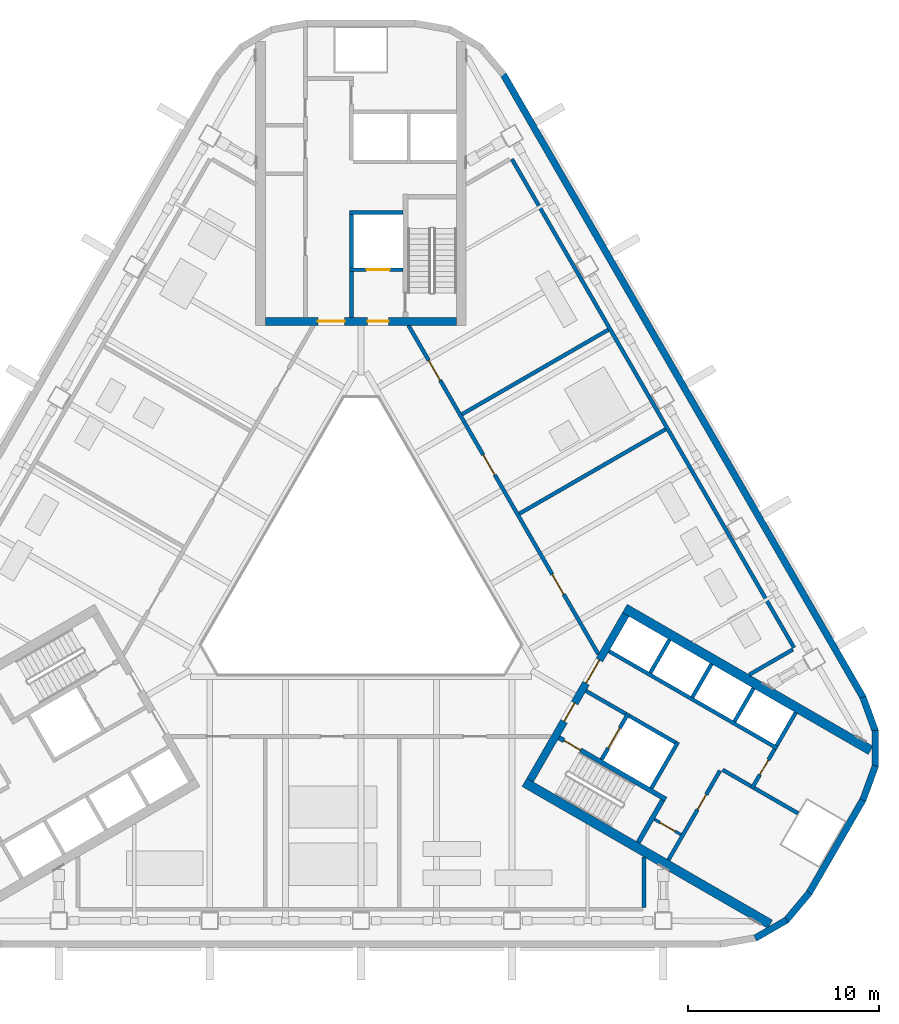
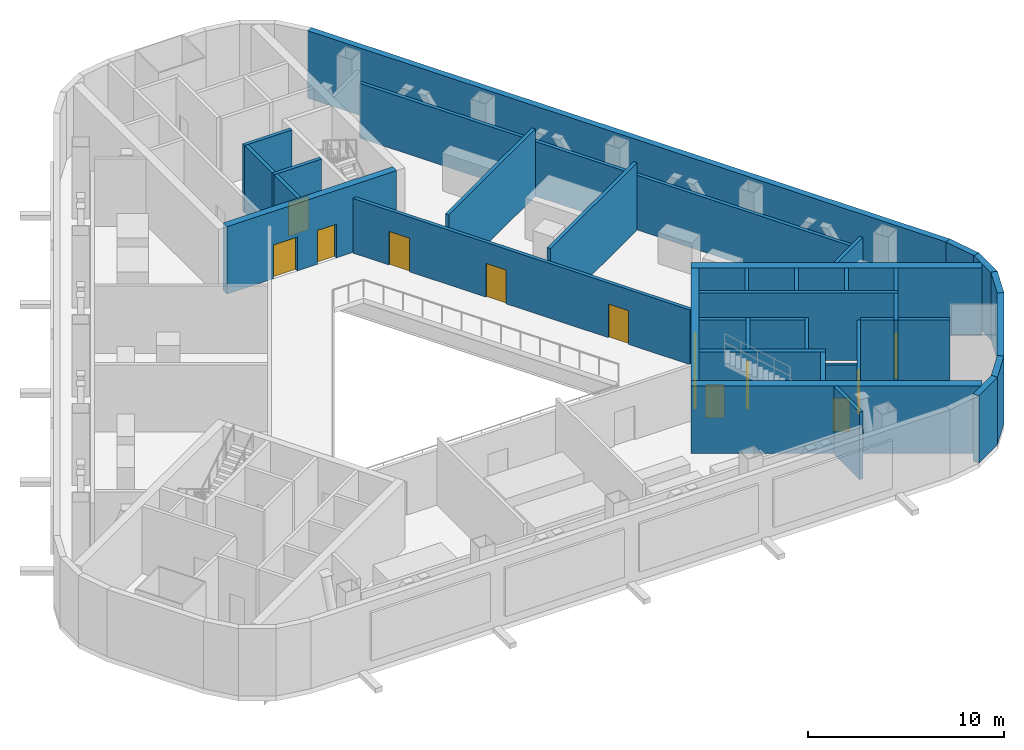
# One storey, part 8 of 15: 37 walls, 13 doors, 13 openings.
"""IFC4 building model written with IfcOpenShell, lengths in metres."""

import ifcopenshell
import ifcopenshell.guid

model = None  # the IFC model being written
_history = None  # IfcOwnerHistory: only IFC2X3 demands one
_inside = {}  # id of a spatial element -> (the spatial element, [elements in it])
_under = {}  # id of a project, library or spatial element -> (it, [spatial elements below it])
_declared = {}  # id of a project -> (the project, [libraries it declares])
_typed = {}  # id of a type object -> (the type object, [elements of that type])
_made_of = {}  # id of a material, layer set ... -> (it, [elements and type objects made of it])


def new_model(schema):
    """Start an empty IFC model of exactly this schema.

    Asked for "IFC4X3", IfcOpenShell would pick the latest addendum, in which some entities
    have other attributes; the version numbers below select the first issue.
    IFC2X3 requires an IfcOwnerHistory on every rooted entity: one is made here for all.
    """
    global model, _history
    if schema == "IFC4X3":
        model = ifcopenshell.file(schema_version=(4, 3, 0, 0))
    else:
        model = ifcopenshell.file(schema=schema)
    _inside.clear()
    _under.clear()
    _declared.clear()
    _typed.clear()
    _made_of.clear()
    _history = None
    if model.schema == "IFC2X3":
        org = make("IfcOrganization", Name="unknown")
        user = make(
            "IfcPersonAndOrganization",
            ThePerson=make("IfcPerson", FamilyName="unknown"),
            TheOrganization=org,
        )
        app = make(
            "IfcApplication",
            ApplicationDeveloper=org,
            Version="unknown",
            ApplicationFullName="unknown",
            ApplicationIdentifier="unknown",
        )
        _history = make(
            "IfcOwnerHistory",
            OwningUser=user,
            OwningApplication=app,
            ChangeAction="ADDED",
            CreationDate=0,
        )
    return model


def make(cls, **values):
    """One entity of the class cls with the attributes given. An attribute that is None is left unset."""
    return model.create_entity(
        cls, **{name: value for name, value in values.items() if value is not None}
    )


def rooted(cls, **values):
    """An entity with a GlobalId (a new one), such as an element, a storey or a relation."""
    return make(cls, GlobalId=ifcopenshell.guid.new(), OwnerHistory=_history, **values)


def si_unit(unit_type, name, prefix=None):
    """IfcSIUnit, for example si_unit("LENGTHUNIT", "METRE", prefix="MILLI")."""
    return make("IfcSIUnit", UnitType=unit_type, Prefix=prefix, Name=name)


def assignment(units):
    """IfcUnitAssignment: the units of a project."""
    return None if units is None else make("IfcUnitAssignment", Units=units)


def point(xyz):
    """IfcCartesianPoint."""
    return None if xyz is None else make("IfcCartesianPoint", Coordinates=xyz)


def direction(xyz):
    """IfcDirection."""
    return None if xyz is None else make("IfcDirection", DirectionRatios=xyz)


def frame(location, z_axis=None, x_axis=None):
    """IfcAxis2Placement3D, a coordinate frame: its origin and axes. An axis left out is left unset."""
    return make(
        "IfcAxis2Placement3D",
        Location=point(location),
        Axis=direction(z_axis),
        RefDirection=direction(x_axis),
    )


def frame_2d(location, x_axis=None):
    """IfcAxis2Placement2D, a coordinate frame in the plane: its origin and x axis."""
    return make(
        "IfcAxis2Placement2D", Location=point(location), RefDirection=direction(x_axis)
    )


def origin():
    """The frame at (0, 0, 0) with its axes left unset."""
    return frame((0.0, 0.0, 0.0))


def place(relative_to, where):
    """IfcLocalPlacement: puts the frame where relative to a parent placement (None: the world)."""
    return make(
        "IfcLocalPlacement", PlacementRelTo=relative_to, RelativePlacement=where
    )


def context(
    kind, dimensions, precision=None, world=None, true_north=None, identifier=None
):
    """IfcGeometricRepresentationContext, for example the 3D "Model" context."""
    return make(
        "IfcGeometricRepresentationContext",
        ContextIdentifier=identifier,
        ContextType=kind,
        CoordinateSpaceDimension=dimensions,
        Precision=precision,
        WorldCoordinateSystem=world,
        TrueNorth=true_north,
    )


def subcontext(parent, identifier, kind, view, scale=None):
    """IfcGeometricRepresentationSubContext, for example "Body" below "Model"."""
    return make(
        "IfcGeometricRepresentationSubContext",
        ContextIdentifier=identifier,
        ContextType=kind,
        ParentContext=parent,
        TargetScale=scale,
        TargetView=view,
    )


def project(units=None, contexts=None):
    """IfcProject with its units and contexts."""
    return rooted(
        "IfcProject",
        Name="project",
        RepresentationContexts=contexts,
        UnitsInContext=assignment(units),
    )


def spatial(cls, under=None, at=None, **own):
    """A site, building, storey or space (cls), placed at a placement, below another one or the project."""
    s = rooted(cls, ObjectPlacement=at, **own)
    if under is not None:
        _under.setdefault(under.id(), (under, []))[1].append(s)
    return s


def profile(cls, at=None, kind="AREA", **sizes):
    """A parametric profile (cls). Its sizes go by their IFC names, for example OverallWidth=200.0."""
    return make(cls, ProfileType=kind, Position=at, **sizes)


def rectangle(**sizes):
    """IfcRectangleProfileDef."""
    return profile("IfcRectangleProfileDef", **sizes)


def extrude(swept, where, along, depth):
    """IfcExtrudedAreaSolid: the profile swept, set in the frame where, extruded along a direction by depth."""
    return make(
        "IfcExtrudedAreaSolid",
        SweptArea=swept,
        Position=where,
        ExtrudedDirection=direction(along),
        Depth=depth,
    )


def shape(context_of_items, identifier, shape_type, items):
    """IfcShapeRepresentation: the items that make up one representation, for example the "Body"."""
    return make(
        "IfcShapeRepresentation",
        ContextOfItems=context_of_items,
        RepresentationIdentifier=identifier,
        RepresentationType=shape_type,
        Items=items,
    )


def material(Name=None, Category=None):
    """IfcMaterial."""
    return make("IfcMaterial", Name=Name, Category=Category)


def layer(
    of_material, thickness, ventilated=None, Name=None, Category=None, Priority=None
):
    """IfcMaterialLayer: one layer of a wall or slab, of a material (None: an air gap)."""
    return make(
        "IfcMaterialLayer",
        Material=of_material,
        LayerThickness=thickness,
        IsVentilated=ventilated,
        Name=Name,
        Category=Category,
        Priority=Priority,
    )


def layer_set(layers, Name=None):
    """IfcMaterialLayerSet."""
    return make("IfcMaterialLayerSet", MaterialLayers=layers, LayerSetName=Name)


def made_of(thing, what):
    """Note that an element or type object is made of a material, layer set ...; save() writes the relation."""
    if what is not None:
        _made_of.setdefault(what.id(), (what, []))[1].append(thing)
    return thing


def type_object(cls, material=None, **own):
    """A type object (cls), such as IfcWallType, which elements share."""
    return made_of(rooted(cls, **own), material)


def element(
    cls,
    number,
    at=None,
    inside=None,
    cuts=None,
    type_object=None,
    material=None,
    context=None,
    identifier="Body",
    shape_type=None,
    held_by="IfcProductDefinitionShape",
    body=None,
    shapes=None,
    **own,
):
    """One element of the class cls, such as IfcWall. Its Tag is "e" and its number.

    at: its placement. inside: the storey or other place that contains it. cuts: it is an
    opening in that element (IfcRelVoidsElement). A single representation is given by context,
    identifier, shape_type and body (its items); several are given by shapes. held_by: the class
    of the entity that holds the representations. save() writes the other relations.
    """
    e = rooted(cls, Tag="e%d" % number, ObjectPlacement=at, **own)
    if body is not None:
        shapes = [shape(context, identifier, shape_type, body)]
    if shapes is not None:
        e.Representation = make(held_by, Representations=shapes)
    if inside is not None:
        _inside.setdefault(inside.id(), (inside, []))[1].append(e)
    if cuts is not None:
        rooted(
            "IfcRelVoidsElement", RelatingBuildingElement=cuts, RelatedOpeningElement=e
        )
    if type_object is not None:
        _typed.setdefault(type_object.id(), (type_object, []))[1].append(e)
    return made_of(e, material)


def fill(opening, filler):
    """IfcRelFillsElement: the door or window that sits in an opening."""
    return rooted(
        "IfcRelFillsElement",
        RelatingOpeningElement=opening,
        RelatedBuildingElement=filler,
    )


def aggregate(whole, parts):
    """IfcRelAggregates: a whole, such as a stair, and the parts it consists of."""
    return rooted("IfcRelAggregates", RelatingObject=whole, RelatedObjects=parts)


def save(model, path):
    """Write the relations noted so far, then the file.

    IfcRelAggregates (storeys below a building ...), IfcRelContainedInSpatialStructure (elements
    in a storey), IfcRelDefinesByType, IfcRelAssociatesMaterial and IfcRelDeclares: one each for
    every whole, place, type object, material and project.
    """
    for whole, parts in _under.values():
        aggregate(whole, parts)
    for where, things in _inside.values():
        rooted(
            "IfcRelContainedInSpatialStructure",
            RelatedElements=things,
            RelatingStructure=where,
        )
    for kind, things in _typed.values():
        rooted("IfcRelDefinesByType", RelatedObjects=things, RelatingType=kind)
    for what, things in _made_of.values():
        rooted("IfcRelAssociatesMaterial", RelatedObjects=things, RelatingMaterial=what)
    for by, libraries in _declared.values():
        rooted("IfcRelDeclares", RelatingContext=by, RelatedDefinitions=libraries)
    model.write(path)


model = new_model("IFC4")

# Units and contexts
model_context = context("Model", 3, precision=1e-05, world=origin(), true_north=direction((0.0, 1.0)))
body_context = subcontext(model_context, "Body", "Model", "MODEL_VIEW")
ifc_project = project(units=[si_unit("LENGTHUNIT", "METRE"), si_unit("AREAUNIT", "SQUARE_METRE"), si_unit("VOLUMEUNIT", "CUBIC_METRE"), si_unit("PLANEANGLEUNIT", "RADIAN"), si_unit("MASSUNIT", "GRAM", prefix="KILO")], contexts=[model_context])

# Site, building, storey
site_placement = place(None, origin())
site = spatial("IfcSite", under=ifc_project, at=site_placement, CompositionType="ELEMENT")
building_placement = place(site_placement, origin())
building = spatial("IfcBuilding", under=site, at=building_placement, Name="Apuvela Tower Hotel", CompositionType="ELEMENT")
storey_placement = place(building_placement, frame((0.0, 0.0, 137.60009765625)))
storey = spatial("IfcBuildingStorey", under=building, at=storey_placement, Name="L32 Plant", CompositionType="ELEMENT", Elevation=137.60009765625)

# Wall, openings, doors
ifc_material_1 = material(Name="Concrete C50/60", Category="concrete")
ifc_layer_1 = layer(ifc_material_1, 0.39990234375)
ifc_layer_set_1 = layer_set([ifc_layer_1], Name="COR-WALL-CORE-400")
wall_type_1 = type_object("IfcWallType", Name="COR-WALL-CORE-400", PredefinedType="SHEAR", material=ifc_layer_set_1)
wall_1_placement = place(storey_placement, frame((5.0, 13.10009765625, 0.0), z_axis=(0.0, 0.0, 1.0), x_axis=(-1.0, 0.0, 0.0)))
wall_1 = element("IfcWall", 1, at=wall_1_placement, inside=storey, type_object=wall_type_1, Name="Core wall N", PredefinedType="SHEAR", context=body_context, shape_type="SweptSolid", body=[
    extrude(rectangle(XDim=10.0, YDim=0.39990234375, at=frame_2d((5.0, 0.0))), origin(), (0.0, 0.0, 1.0), 4.199951171875),
])
opening_1_placement = place(wall_1_placement, frame((3.550048828125, 0.0, 0.0)))
opening_1 = element("IfcOpeningElement", 2, at=opening_1_placement, cuts=wall_1, Name="Opening N-FD", PredefinedType="OPENING", context=body_context, shape_type="SweptSolid", body=[
    extrude(rectangle(XDim=1.10009765625, YDim=2.10009765625, at=frame_2d((0.550048828125, 1.050048828125))), frame((0.0, 0.2099609375, 0.0), z_axis=(0.0, -1.0, 0.0), x_axis=(1.0, 0.0, 0.0)), (0.0, 0.0, 1.0), 0.419921875),
])
opening_2_placement = place(wall_1_placement, frame((5.85009765625, 0.0, 0.0)))
opening_2 = element("IfcOpeningElement", 3, at=opening_2_placement, cuts=wall_1, Name="Opening N-GD", PredefinedType="OPENING", context=body_context, shape_type="SweptSolid", body=[
    extrude(rectangle(XDim=1.39990234375, YDim=2.10009765625, at=frame_2d((0.699951171875, 1.050048828125))), frame((0.0, 0.2099609375, 0.0), z_axis=(0.0, -1.0, 0.0), x_axis=(1.0, 0.0, 0.0)), (0.0, 0.0, 1.0), 0.419921875),
])
ifc_material_2 = material(Name="Steel fire door, powder coated", Category="steel")
door_type_1 = type_object("IfcDoorType", Name="COR-FD-1100", OperationType="NOTDEFINED", PredefinedType="DOOR", material=ifc_material_2)
door_1_placement = place(opening_1_placement, frame((1.10009765625, 0.0, 0.0), z_axis=(0.0, 0.0, 1.0), x_axis=(-1.0, 0.0, 0.0)))
door_1 = element("IfcDoor", 4, at=door_1_placement, inside=storey, type_object=door_type_1, Name="Firefighting lobby door N-FD", OperationType="SINGLE_SWING_LEFT", OverallHeight=2.10009765625, OverallWidth=1.10009765625, PredefinedType="DOOR", context=body_context, shape_type="SweptSolid", body=[
    extrude(rectangle(XDim=1.10009765625, YDim=2.10009765625, at=frame_2d((0.550048828125, 1.050048828125))), frame((0.0, 0.02490234375, 0.0), z_axis=(0.0, -1.0, 0.0), x_axis=(1.0, 0.0, 0.0)), (0.0, 0.0, 1.0), 0.050048828125),
])
fill(opening_1, door_1)
ifc_material_3 = material(Name="Glazed steel fire door", Category="steel")
door_type_2 = type_object("IfcDoorType", Name="COR-GD-1400", OperationType="DOUBLE_DOOR_SINGLE_SWING", PredefinedType="DOOR", material=ifc_material_3)
door_2_placement = place(opening_2_placement, frame((1.39990234375, 0.0, 0.0), z_axis=(0.0, 0.0, 1.0), x_axis=(-1.0, 0.0, 0.0)))
door_2 = element("IfcDoor", 5, at=door_2_placement, inside=storey, type_object=door_type_2, Name="Lift lobby door N-GD", OperationType="DOUBLE_DOOR_SINGLE_SWING", OverallHeight=2.10009765625, OverallWidth=1.39990234375, PredefinedType="DOOR", context=body_context, shape_type="SweptSolid", body=[
    extrude(rectangle(XDim=1.39990234375, YDim=2.10009765625, at=frame_2d((0.699951171875, 1.050048828125))), frame((0.0, 0.02490234375, 0.0), z_axis=(0.0, -1.0, 0.0), x_axis=(1.0, 0.0, 0.0)), (0.0, 0.0, 1.0), 0.050048828125),
])
fill(opening_2, door_2)

wall_2_placement = place(storey_placement, frame((8.844970703125, -10.880126953125, 0.0), z_axis=(0.0, 0.0, 1.0), x_axis=(0.500004234368, 0.866022959057, 0.0)))
wall_2 = element("IfcWall", 6, at=wall_2_placement, inside=storey, type_object=wall_type_1, Name="Core wall SE", PredefinedType="SHEAR", context=body_context, shape_type="SweptSolid", body=[
    extrude(rectangle(XDim=10.0, YDim=0.39990234375, at=frame_2d((5.0, 0.0))), origin(), (0.0, 0.0, 1.0), 4.199951171875),
])
opening_3_placement = place(wall_2_placement, frame((3.550048828125, 0.0, 0.0)))
opening_3 = element("IfcOpeningElement", 7, at=opening_3_placement, cuts=wall_2, Name="Opening E-FD", PredefinedType="OPENING", context=body_context, shape_type="SweptSolid", body=[
    extrude(rectangle(XDim=1.10009765625, YDim=2.10009765625, at=frame_2d((0.550048828125, 1.050048828125))), frame((0.0, 0.2099609375, 0.0), z_axis=(0.0, -1.0, 0.0), x_axis=(1.0, 0.0, 0.0)), (0.0, 0.0, 1.0), 0.419921875),
])
opening_4_placement = place(wall_2_placement, frame((5.85009765625, 0.0, 0.0)))
opening_4 = element("IfcOpeningElement", 8, at=opening_4_placement, cuts=wall_2, Name="Opening E-GD", PredefinedType="OPENING", context=body_context, shape_type="SweptSolid", body=[
    extrude(rectangle(XDim=1.39990234375, YDim=2.10009765625, at=frame_2d((0.699951171875, 1.050048828125))), frame((0.0, 0.2099609375, 0.0), z_axis=(0.0, -1.0, 0.0), x_axis=(1.0, 0.0, 0.0)), (0.0, 0.0, 1.0), 0.419921875),
])
door_3_placement = place(opening_3_placement, frame((1.10009765625, 0.0, 0.0), z_axis=(0.0, 0.0, 1.0), x_axis=(-1.0, 0.0, 0.0)))
door_3 = element("IfcDoor", 9, at=door_3_placement, inside=storey, type_object=door_type_1, Name="Firefighting lobby door E-FD", OperationType="SINGLE_SWING_LEFT", OverallHeight=2.10009765625, OverallWidth=1.10009765625, PredefinedType="DOOR", context=body_context, shape_type="SweptSolid", body=[
    extrude(rectangle(XDim=1.10009765625, YDim=2.10009765625, at=frame_2d((0.550048828125, 1.050048828125))), frame((0.0, 0.02490234375, 0.0), z_axis=(0.0, -1.0, 0.0), x_axis=(1.0, 0.0, 0.0)), (0.0, 0.0, 1.0), 0.050048828125),
])
fill(opening_3, door_3)
door_4_placement = place(opening_4_placement, frame((1.39990234375, 0.0, 0.0), z_axis=(0.0, 0.0, 1.0), x_axis=(-1.0, 0.0, 0.0)))
door_4 = element("IfcDoor", 10, at=door_4_placement, inside=storey, type_object=door_type_2, Name="Lift lobby door E-GD", OperationType="DOUBLE_DOOR_SINGLE_SWING", OverallHeight=2.10009765625, OverallWidth=1.39990234375, PredefinedType="DOOR", context=body_context, shape_type="SweptSolid", body=[
    extrude(rectangle(XDim=1.39990234375, YDim=2.10009765625, at=frame_2d((0.699951171875, 1.050048828125))), frame((0.0, 0.02490234375, 0.0), z_axis=(0.0, -1.0, 0.0), x_axis=(1.0, 0.0, 0.0)), (0.0, 0.0, 1.0), 0.050048828125),
])
fill(opening_4, door_4)

# Walls
ifc_layer_2 = layer(ifc_material_1, 0.5)
ifc_layer_set_2 = layer_set([ifc_layer_2], Name="COR-WALL-CORE-500")
wall_type_2 = type_object("IfcWallType", Name="COR-WALL-CORE-500", PredefinedType="SHEAR", material=ifc_layer_set_2)
for number, where, z_axis, x_axis, name in (
    (11, (8.546630859375, -10.99658203125, 0.0), (0.0, 0.0, 1.0), (0.866025009528, -0.500000682871, 0.0), "Core wall SE"),
    (12, (13.796630859375, -1.9033203125, 0.0), (0.0, 0.0, 1.0), (0.866025009528, -0.500000682871, 0.0), "Core wall SE"),
):
    element("IfcWall", number, at=place(storey_placement, frame(where, z_axis=z_axis, x_axis=x_axis)), inside=storey, type_object=wall_type_2, Name=name, PredefinedType="SHEAR", context=body_context, shape_type="SweptSolid", body=[
        extrude(rectangle(XDim=14.8369140625, YDim=0.5, at=frame_2d((7.41845703125, 0.0))), origin(), (0.0, 0.0, 1.0), 4.199951171875),
    ])

# Wall, opening, door
ifc_material_4 = material(Name="Blockwork 150 mm plastered", Category="masonry")
ifc_layer_3 = layer(ifc_material_4, 0.14990234375)
ifc_layer_set_3 = layer_set([ifc_layer_3], Name="COR-WALL-PART-150")
wall_type_3 = type_object("IfcWallType", Name="COR-WALL-PART-150", PredefinedType="PARTITIONING", material=ifc_layer_set_3)
wall_3_placement = place(storey_placement, frame((15.341552734375, -12.927734375, 0.0), z_axis=(0.0, 0.0, 1.0), x_axis=(0.865989903783, -0.500061482766, 0.0)))
wall_3 = element("IfcWall", 13, at=wall_3_placement, inside=storey, type_object=wall_type_3, Name="Partition SE", PredefinedType="PARTITIONING", context=body_context, shape_type="SweptSolid", body=[
    extrude(rectangle(XDim=1.599853515625, YDim=0.14990234375, at=frame_2d((0.7998046875, 0.0))), origin(), (0.0, 0.0, 1.0), 4.199951171875),
])
opening_5_placement = place(wall_3_placement, frame((0.35009765625, 0.0, 0.0)))
opening_5 = element("IfcOpeningElement", 14, at=opening_5_placement, cuts=wall_3, Name="Opening E-RD", PredefinedType="OPENING", context=body_context, shape_type="SweptSolid", body=[
    extrude(rectangle(XDim=0.89990234375, YDim=2.10009765625, at=frame_2d((0.449951171875, 1.050048828125))), frame((0.0, 0.0849609375, 0.0), z_axis=(0.0, -1.0, 0.0), x_axis=(1.0, 0.0, 0.0)), (0.0, 0.0, 1.0), 0.169921875),
])
ifc_material_5 = material(Name="Steel access door, powder coated", Category="steel")
door_type_3 = type_object("IfcDoorType", Name="COR-RD-900", OperationType="NOTDEFINED", PredefinedType="DOOR", material=ifc_material_5)
door_5_placement = place(opening_5_placement, frame((0.89990234375, 0.0, 0.0), z_axis=(0.0, 0.0, 1.0), x_axis=(-1.0, 0.0, 0.0)))
door_5 = element("IfcDoor", 15, at=door_5_placement, inside=storey, type_object=door_type_3, Name="Riser door E-RD", OperationType="SINGLE_SWING_LEFT", OverallHeight=2.10009765625, OverallWidth=0.89990234375, PredefinedType="DOOR", context=body_context, shape_type="SweptSolid", body=[
    extrude(rectangle(XDim=0.89990234375, YDim=2.10009765625, at=frame_2d((0.449951171875, 1.050048828125))), frame((0.0, 0.02490234375, 0.0), z_axis=(0.0, -1.0, 0.0), x_axis=(1.0, 0.0, 0.0)), (0.0, 0.0, 1.0), 0.050048828125),
])
fill(opening_5, door_5)

ifc_material_6 = material(Name="Blockwork 200 mm plastered", Category="masonry")
ifc_layer_4 = layer(ifc_material_6, 0.199951171875)
ifc_layer_set_4 = layer_set([ifc_layer_4], Name="COR-WALL-PART-200")
wall_type_4 = type_object("IfcWallType", Name="COR-WALL-PART-200", PredefinedType="PARTITIONING", material=ifc_layer_set_4)
wall_4_placement = place(storey_placement, frame((16.076171875, -15.05517578125, 0.0), z_axis=(0.0, 0.0, 1.0), x_axis=(0.499995103361, 0.866028230842, 0.0)))
wall_4 = element("IfcWall", 16, at=wall_4_placement, inside=storey, type_object=wall_type_4, Name="Partition SE", PredefinedType="PARTITIONING", context=body_context, shape_type="SweptSolid", body=[
    extrude(rectangle(XDim=5.39990234375, YDim=0.199951171875, at=frame_2d((2.699951171875, 0.0))), origin(), (0.0, 0.0, 1.0), 4.199951171875),
])
opening_6_placement = place(wall_4_placement, frame((3.050048828125, 0.0, 0.0)))
opening_6 = element("IfcOpeningElement", 17, at=opening_6_placement, cuts=wall_4, Name="Opening E-RS1", PredefinedType="OPENING", context=body_context, shape_type="SweptSolid", body=[
    extrude(rectangle(XDim=0.89990234375, YDim=2.10009765625, at=frame_2d((0.449951171875, 1.050048828125))), frame((0.0, 0.10986328125, 0.0), z_axis=(0.0, -1.0, 0.0), x_axis=(1.0, 0.0, 0.0)), (0.0, 0.0, 1.0), 0.219970703125),
])
door_type_4 = type_object("IfcDoorType", Name="COR-DR-900", OperationType="NOTDEFINED", PredefinedType="DOOR", material=ifc_material_2)
door_6_placement = place(opening_6_placement, frame((0.89990234375, 0.0, 0.0), z_axis=(0.0, 0.0, 1.0), x_axis=(-1.0, 0.0, 0.0)))
door_6 = element("IfcDoor", 18, at=door_6_placement, inside=storey, type_object=door_type_4, Name="Store door E-RS1", OperationType="SINGLE_SWING_LEFT", OverallHeight=2.10009765625, OverallWidth=0.89990234375, PredefinedType="DOOR", context=body_context, shape_type="SweptSolid", body=[
    extrude(rectangle(XDim=0.89990234375, YDim=2.10009765625, at=frame_2d((0.449951171875, 1.050048828125))), frame((0.0, 0.02490234375, 0.0), z_axis=(0.0, -1.0, 0.0), x_axis=(1.0, 0.0, 0.0)), (0.0, 0.0, 1.0), 0.050048828125),
])
fill(opening_6, door_6)

# Wall
ifc_layer_5 = layer(ifc_material_1, 0.199951171875)
ifc_layer_set_5 = layer_set([ifc_layer_5], Name="COR-WALL-SHAFT-200")
wall_type_5 = type_object("IfcWallType", Name="COR-WALL-SHAFT-200", PredefinedType="SHEAR", material=ifc_layer_set_5)
wall_5_placement = place(storey_placement, frame((2.199951171875, 18.800048828125, 0.0), z_axis=(0.0, 0.0, 1.0), x_axis=(-1.0, 0.0, 0.0)))
element("IfcWall", 19, at=wall_5_placement, inside=storey, type_object=wall_type_5, Name="Shaft wall N", PredefinedType="SHEAR", context=body_context, shape_type="SweptSolid", body=[
    extrude(rectangle(XDim=2.800048828125, YDim=0.199951171875, at=frame_2d((1.39990234375, 0.0))), origin(), (0.0, 0.0, 1.0), 4.199951171875),
])

# Wall, opening, door
wall_6_placement = place(storey_placement, frame((2.199951171875, 15.800048828125, 0.0), z_axis=(0.0, 0.0, 1.0), x_axis=(-1.0, 0.0, 0.0)))
wall_6 = element("IfcWall", 20, at=wall_6_placement, inside=storey, type_object=wall_type_5, Name="Shaft wall N", PredefinedType="SHEAR", context=body_context, shape_type="SweptSolid", body=[
    extrude(rectangle(XDim=2.800048828125, YDim=0.199951171875, at=frame_2d((1.39990234375, 0.0))), origin(), (0.0, 0.0, 1.0), 4.199951171875),
])
opening_7_placement = place(wall_6_placement, frame((0.699951171875, 0.0, 0.0)))
opening_7 = element("IfcOpeningElement", 21, at=opening_7_placement, cuts=wall_6, Name="Opening N-LD-FS1", PredefinedType="OPENING", context=body_context, shape_type="SweptSolid", body=[
    extrude(rectangle(XDim=1.199951171875, YDim=2.10009765625, at=frame_2d((0.60009765625, 1.050048828125))), frame((0.0, 0.10986328125, 0.0), z_axis=(0.0, -1.0, 0.0), x_axis=(1.0, 0.0, 0.0)), (0.0, 0.0, 1.0), 0.219970703125),
])
ifc_material_7 = material(Name="Stainless steel lift landing door", Category="steel")
door_type_5 = type_object("IfcDoorType", Name="COR-LD-1200", OperationType="DOUBLE_DOOR_SLIDING", PredefinedType="DOOR", material=ifc_material_7)
door_7_placement = place(opening_7_placement, origin())
door_7 = element("IfcDoor", 22, at=door_7_placement, inside=storey, type_object=door_type_5, Name="Lift landing door N-LD-FS1", OperationType="DOUBLE_DOOR_SLIDING", OverallHeight=2.10009765625, OverallWidth=1.199951171875, PredefinedType="DOOR", context=body_context, shape_type="SweptSolid", body=[
    extrude(rectangle(XDim=1.199951171875, YDim=2.10009765625, at=frame_2d((0.60009765625, 1.050048828125))), frame((0.0, 0.02490234375, 0.0), z_axis=(0.0, -1.0, 0.0), x_axis=(1.0, 0.0, 0.0)), (0.0, 0.0, 1.0), 0.050048828125),
])
fill(opening_7, door_7)

# Walls
wall_7_placement = place(storey_placement, frame((-0.5, 15.89990234375, 0.0), z_axis=(0.0, 0.0, 1.0), x_axis=(0.0, 1.0, 0.0)))
element("IfcWall", 23, at=wall_7_placement, inside=storey, type_object=wall_type_5, Name="Shaft wall N", PredefinedType="SHEAR", context=body_context, shape_type="SweptSolid", body=[
    extrude(rectangle(XDim=2.800048828125, YDim=0.199951171875, at=frame_2d((1.39990234375, 0.0))), origin(), (0.0, 0.0, 1.0), 4.199951171875),
])
wall_8_placement = place(storey_placement, frame((-0.5, 13.300048828125, 0.0), z_axis=(0.0, 0.0, 1.0), x_axis=(0.0, 1.0, 0.0)))
element("IfcWall", 24, at=wall_8_placement, inside=storey, type_object=wall_type_5, Name="Shaft wall N", PredefinedType="SHEAR", context=body_context, shape_type="SweptSolid", body=[
    extrude(rectangle(XDim=2.39990234375, YDim=0.199951171875, at=frame_2d((1.199951171875, 0.0))), origin(), (0.0, 0.0, 1.0), 4.199951171875),
])
wall_9_placement = place(storey_placement, frame((15.181396484375, -11.305419921875, 0.0), z_axis=(0.0, 0.0, 1.0), x_axis=(0.49994636267, 0.866056369097, 0.0)))
element("IfcWall", 25, at=wall_9_placement, inside=storey, type_object=wall_type_5, Name="Shaft wall SE", PredefinedType="SHEAR", context=body_context, shape_type="SweptSolid", body=[
    extrude(rectangle(XDim=2.800048828125, YDim=0.199951171875, at=frame_2d((1.39990234375, 0.0))), origin(), (0.0, 0.0, 1.0), 4.199951171875),
])

# Wall, opening, door
wall_10_placement = place(storey_placement, frame((12.583251953125, -9.805419921875, 0.0), z_axis=(0.0, 0.0, 1.0), x_axis=(0.49994636267, 0.866056369097, 0.0)))
wall_10 = element("IfcWall", 26, at=wall_10_placement, inside=storey, type_object=wall_type_5, Name="Shaft wall SE", PredefinedType="SHEAR", context=body_context, shape_type="SweptSolid", body=[
    extrude(rectangle(XDim=2.800048828125, YDim=0.199951171875, at=frame_2d((1.39990234375, 0.0))), origin(), (0.0, 0.0, 1.0), 4.199951171875),
])
opening_8_placement = place(wall_10_placement, frame((0.699951171875, 0.0, 0.0)))
opening_8 = element("IfcOpeningElement", 27, at=opening_8_placement, cuts=wall_10, Name="Opening E-LD-FS3", PredefinedType="OPENING", context=body_context, shape_type="SweptSolid", body=[
    extrude(rectangle(XDim=1.199951171875, YDim=2.10009765625, at=frame_2d((0.60009765625, 1.050048828125))), frame((0.0, 0.10986328125, 0.0), z_axis=(0.0, -1.0, 0.0), x_axis=(1.0, 0.0, 0.0)), (0.0, 0.0, 1.0), 0.219970703125),
])
door_8_placement = place(opening_8_placement, origin())
door_8 = element("IfcDoor", 28, at=door_8_placement, inside=storey, type_object=door_type_5, Name="Lift landing door E-LD-FS3", OperationType="DOUBLE_DOOR_SLIDING", OverallHeight=2.10009765625, OverallWidth=1.199951171875, PredefinedType="DOOR", context=body_context, shape_type="SweptSolid", body=[
    extrude(rectangle(XDim=1.199951171875, YDim=2.10009765625, at=frame_2d((0.60009765625, 1.050048828125))), frame((0.0, 0.02490234375, 0.0), z_axis=(0.0, -1.0, 0.0), x_axis=(1.0, 0.0, 0.0)), (0.0, 0.0, 1.0), 0.050048828125),
])
fill(opening_8, door_8)

# Walls
wall_11_placement = place(storey_placement, frame((11.76806640625, -6.217041015625, 0.0), z_axis=(0.0, 0.0, 1.0), x_axis=(0.866050077142, -0.499957262057, 0.0)))
element("IfcWall", 29, at=wall_11_placement, inside=storey, type_object=wall_type_5, Name="Shaft wall SE", PredefinedType="SHEAR", context=body_context, shape_type="SweptSolid", body=[
    extrude(rectangle(XDim=2.400146484375, YDim=0.199951171875, at=frame_2d((1.2001953125, 0.0))), origin(), (0.0, 0.0, 1.0), 4.199951171875),
])
wall_12_placement = place(storey_placement, frame((14.019775390625, -7.51708984375, 0.0), z_axis=(0.0, 0.0, 1.0), x_axis=(0.866034573852, -0.49998411664, 0.0)))
element("IfcWall", 30, at=wall_12_placement, inside=storey, type_object=wall_type_5, Name="Shaft wall SE", PredefinedType="SHEAR", context=body_context, shape_type="SweptSolid", body=[
    extrude(rectangle(XDim=2.7998046875, YDim=0.199951171875, at=frame_2d((1.39990234375, 0.0))), origin(), (0.0, 0.0, 1.0), 4.199951171875),
])
wall_13_placement = place(storey_placement, frame((12.968017578125, -4.138427734375, 0.0), z_axis=(0.0, 0.0, 1.0), x_axis=(0.866028328073, -0.49999493495, 0.0)))
element("IfcWall", 31, at=wall_13_placement, inside=storey, type_object=wall_type_5, Name="Shaft wall SE", PredefinedType="SHEAR", context=body_context, shape_type="SweptSolid", body=[
    extrude(rectangle(XDim=10.16015625, YDim=0.199951171875, at=frame_2d((5.080078125, 0.0))), origin(), (0.0, 0.0, 1.0), 4.199951171875),
])

# Wall, opening, door
wall_14_placement = place(storey_placement, frame((20.430419921875, -11.33349609375, 0.0), z_axis=(0.0, 0.0, 1.0), x_axis=(0.500001309137, 0.866024647952, 0.0)))
wall_14 = element("IfcWall", 32, at=wall_14_placement, inside=storey, type_object=wall_type_5, Name="Shaft wall SE", PredefinedType="SHEAR", context=body_context, shape_type="SweptSolid", body=[
    extrude(rectangle(XDim=2.39990234375, YDim=0.199951171875, at=frame_2d((1.199951171875, 0.0))), origin(), (0.0, 0.0, 1.0), 4.199951171875),
])
opening_9_placement = place(wall_14_placement, frame((0.85009765625, 0.0, 0.0)))
opening_9 = element("IfcOpeningElement", 33, at=opening_9_placement, cuts=wall_14, Name="Opening E-REP", PredefinedType="OPENING", context=body_context, shape_type="SweptSolid", body=[
    extrude(rectangle(XDim=0.89990234375, YDim=2.10009765625, at=frame_2d((0.449951171875, 1.050048828125))), frame((0.0, 0.10986328125, 0.0), z_axis=(0.0, -1.0, 0.0), x_axis=(1.0, 0.0, 0.0)), (0.0, 0.0, 1.0), 0.219970703125),
])
door_9_placement = place(opening_9_placement, frame((0.89990234375, 0.0, 0.0), z_axis=(0.0, 0.0, 1.0), x_axis=(-1.0, 0.0, 0.0)))
door_9 = element("IfcDoor", 34, at=door_9_placement, inside=storey, type_object=door_type_4, Name="Store door E-REP", OperationType="SINGLE_SWING_RIGHT", OverallHeight=2.10009765625, OverallWidth=0.89990234375, PredefinedType="DOOR", context=body_context, shape_type="SweptSolid", body=[
    extrude(rectangle(XDim=0.89990234375, YDim=2.10009765625, at=frame_2d((0.449951171875, 1.050048828125))), frame((0.0, 0.02490234375, 0.0), z_axis=(0.0, -1.0, 0.0), x_axis=(1.0, 0.0, 0.0)), (0.0, 0.0, 1.0), 0.050048828125),
])
fill(opening_9, door_9)

# Walls
wall_15_placement = place(storey_placement, frame((18.912841796875, -10.342041015625, 0.0), z_axis=(0.0, 0.0, 1.0), x_axis=(0.866038183914, -0.499977863513, 0.0)))
element("IfcWall", 35, at=wall_15_placement, inside=storey, type_object=wall_type_5, Name="Shaft wall SE", PredefinedType="SHEAR", context=body_context, shape_type="SweptSolid", body=[
    extrude(rectangle(XDim=1.7099609375, YDim=0.199951171875, at=frame_2d((0.85498046875, 0.0))), origin(), (0.0, 0.0, 1.0), 4.199951171875),
])
for number, where, z_axis, x_axis, name in (
    (36, (15.131103515625, -5.27197265625, 0.0), (0.0, 0.0, 1.0), (0.499972520799, 0.866041268327, 0.0), "Shaft wall SE"),
    (37, (17.330810546875, -6.5419921875, 0.0), (0.0, 0.0, 1.0), (0.499972520799, 0.866041268327, 0.0), "Shaft wall SE"),
    (38, (19.530517578125, -7.81201171875, 0.0), (0.0, 0.0, 1.0), (0.499972520799, 0.866041268327, 0.0), "Shaft wall SE"),
    (39, (21.73046875, -9.081787109375, 0.0), (0.0, 0.0, 1.0), (0.50002537861, 0.866010750942, 0.0), "Shaft wall SE"),
):
    element("IfcWall", number, at=place(storey_placement, frame(where, z_axis=z_axis, x_axis=x_axis)), inside=storey, type_object=wall_type_5, Name=name, PredefinedType="SHEAR", context=body_context, shape_type="SweptSolid", body=[
        extrude(rectangle(XDim=2.0, YDim=0.199951171875, at=frame_2d((1.0, 0.0))), origin(), (0.0, 0.0, 1.0), 4.199951171875),
    ])
wall_16_placement = place(storey_placement, frame((20.56689453125, -11.297119140625, 0.0), z_axis=(0.0, 0.0, 1.0), x_axis=(0.866060851709, -0.499938597367, 0.0)))
element("IfcWall", 40, at=wall_16_placement, inside=storey, type_object=wall_type_5, Name="Shaft wall SE", PredefinedType="SHEAR", context=body_context, shape_type="SweptSolid", body=[
    extrude(rectangle(XDim=2.639892578125, YDim=0.199951171875, at=frame_2d((1.31982421875, 0.0))), origin(), (0.0, 0.0, 1.0), 4.199951171875),
])

# Wall, opening, door
ifc_layer_6 = layer(ifc_material_1, 0.25)
ifc_layer_set_6 = layer_set([ifc_layer_6], Name="COR-WALL-STAIR-250")
wall_type_6 = type_object("IfcWallType", Name="COR-WALL-STAIR-250", PredefinedType="SHEAR", material=ifc_layer_set_6)
wall_17_placement = place(storey_placement, frame((10.355712890625, -8.66357421875, 0.0), z_axis=(0.0, 0.0, 1.0), x_axis=(0.866028629588, -0.499994412703, 0.0)))
wall_17 = element("IfcWall", 41, at=wall_17_placement, inside=storey, type_object=wall_type_6, Name="Stair wall SE", PredefinedType="SHEAR", context=body_context, shape_type="SweptSolid", body=[
    extrude(rectangle(XDim=6.44970703125, YDim=0.25, at=frame_2d((3.224853515625, 0.0))), origin(), (0.0, 0.0, 1.0), 4.199951171875),
])
opening_10_placement = place(wall_17_placement, frame((0.300048828125, 0.0, 0.0)))
opening_10 = element("IfcOpeningElement", 42, at=opening_10_placement, cuts=wall_17, Name="Opening E-SD", PredefinedType="OPENING", context=body_context, shape_type="SweptSolid", body=[
    extrude(rectangle(XDim=1.0, YDim=2.10009765625, at=frame_2d((0.5, 1.050048828125))), frame((0.0, 0.135009765625, 0.0), z_axis=(0.0, -1.0, 0.0), x_axis=(1.0, 0.0, 0.0)), (0.0, 0.0, 1.0), 0.27001953125),
])
door_type_6 = type_object("IfcDoorType", Name="COR-SD-1000", OperationType="NOTDEFINED", PredefinedType="DOOR", material=ifc_material_2)
door_10_placement = place(opening_10_placement, frame((1.0, 0.0, 0.0), z_axis=(0.0, 0.0, 1.0), x_axis=(-1.0, 0.0, 0.0)))
door_10 = element("IfcDoor", 43, at=door_10_placement, inside=storey, type_object=door_type_6, Name="Stair door E-SD", OperationType="SINGLE_SWING_LEFT", OverallHeight=2.10009765625, OverallWidth=1.0, PredefinedType="DOOR", context=body_context, shape_type="SweptSolid", body=[
    extrude(rectangle(XDim=1.0, YDim=2.10009765625, at=frame_2d((0.5, 1.050048828125))), frame((0.0, 0.02490234375, 0.0), z_axis=(0.0, -1.0, 0.0), x_axis=(1.0, 0.0, 0.0)), (0.0, 0.0, 1.0), 0.050048828125),
])
fill(opening_10, door_10)

# Walls
wall_18_placement = place(storey_placement, frame((14.49560546875, -14.142578125, 0.0), z_axis=(0.0, 0.0, 1.0), x_axis=(0.500062241894, 0.865989465428, 0.0)))
element("IfcWall", 44, at=wall_18_placement, inside=storey, type_object=wall_type_6, Name="Stair wall SE", PredefinedType="SHEAR", context=body_context, shape_type="SweptSolid", body=[
    extrude(rectangle(XDim=2.550048828125, YDim=0.25, at=frame_2d((1.27490234375, 0.0))), origin(), (0.0, 0.0, 1.0), 4.199951171875),
])
ifc_material_8 = material(Name="Concrete C40/50, dark pigmented precast panel", Category="concrete")
ifc_layer_7 = layer(ifc_material_8, 0.35009765625)
ifc_layer_set_7 = layer_set([ifc_layer_7], Name="ENV-WALL-350")
wall_type_7 = type_object("IfcWallType", Name="ENV-WALL-350", PredefinedType="SOLIDWALL", material=ifc_layer_set_7)
for number, where, z_axis, x_axis, name in (
    (45, (20.609619140625, -19.146728515625, 0.0), (0.0, 0.0, 1.0), (0.866000389056, 0.500043324278, 0.0), "External wall L32 Plant-17"),
    (46, (22.217041015625, -18.230712890625, 0.0), (0.0, 0.0, 1.0), (0.642808304945, 0.766027077259, 0.0), "External wall L32 Plant-18"),
):
    element("IfcWall", number, at=place(storey_placement, frame(where, z_axis=z_axis, x_axis=x_axis)), inside=storey, type_object=wall_type_7, Name=name, PredefinedType="SOLIDWALL", context=body_context, shape_type="SweptSolid", body=[
        extrude(rectangle(XDim=1.909912109375, YDim=0.35009765625, at=frame_2d((0.955078125, 0.0))), origin(), (0.0, 0.0, 1.0), 4.199951171875),
    ])
wall_19_placement = place(storey_placement, frame((23.427490234375, -16.79248046875, 0.0), z_axis=(0.0, 0.0, 1.0), x_axis=(0.499986410639, 0.866033249463, 0.0)))
element("IfcWall", 47, at=wall_19_placement, inside=storey, type_object=wall_type_7, Name="External wall L32 Plant-19", PredefinedType="SOLIDWALL", context=body_context, shape_type="SweptSolid", body=[
    extrude(rectangle(XDim=5.657958984375, YDim=0.35009765625, at=frame_2d((2.8291015625, 0.0))), origin(), (0.0, 0.0, 1.0), 4.199951171875),
])
for number, where, z_axis, x_axis, name in (
    (48, (26.24365234375, -11.920166015625, 0.0), (0.0, 0.0, 1.0), (0.342030395486, 0.939688889242, 0.0), "External wall L32 Plant-20"),
    (49, (26.88623046875, -10.18505859375, 0.0), (0.0, 0.0, 1.0), (0.0, 1.0, 0.0), "External wall L32 Plant-21"),
    (50, (26.89697265625, -8.334716796875, 0.0), (0.0, 0.0, 1.0), (-0.342030395486, 0.939688889242, 0.0), "External wall L32 Plant-22"),
):
    element("IfcWall", number, at=place(storey_placement, frame(where, z_axis=z_axis, x_axis=x_axis)), inside=storey, type_object=wall_type_7, Name=name, PredefinedType="SOLIDWALL", context=body_context, shape_type="SweptSolid", body=[
        extrude(rectangle(XDim=1.91015625, YDim=0.35009765625, at=frame_2d((0.955078125, 0.0))), origin(), (0.0, 0.0, 1.0), 4.199951171875),
    ])
wall_20_placement = place(storey_placement, frame((26.25634765625, -6.5673828125, 0.0), z_axis=(0.0, 0.0, 1.0), x_axis=(-0.499998380999, 0.866026338513, 0.0)))
element("IfcWall", 51, at=wall_20_placement, inside=storey, type_object=wall_type_7, Name="External wall L32 Plant-23", PredefinedType="SOLIDWALL", context=body_context, shape_type="SweptSolid", body=[
    extrude(rectangle(XDim=37.63134765625, YDim=0.35009765625, at=frame_2d((18.815673828125, 0.0))), origin(), (0.0, 0.0, 1.0), 4.199951171875),
])
ifc_material_9 = material(Name="Reinforced blockwork B15", Category="masonry")
ifc_layer_8 = layer(ifc_material_9, 0.199951171875)
ifc_layer_set_8 = layer_set([ifc_layer_8], Name="SPC-WALL-PLANT")
wall_type_8 = type_object("IfcWallType", Name="SPC-WALL-PLANT", PredefinedType="PARTITIONING", material=ifc_layer_set_8)
for number, where, z_axis, x_axis, name in (
    (52, (14.800048828125, -17.530029296875, 0.0), (0.0, 0.0, 1.0), (0.0, 1.0, 0.0), "Wall L32-S-P06"),
    (53, (22.581298828125, -4.05224609375, 0.0), (0.0, 0.0, 1.0), (-0.866038977738, -0.499976488486, 0.0), "Wall L32-NE-P03"),
):
    element("IfcWall", number, at=place(storey_placement, frame(where, z_axis=z_axis, x_axis=x_axis)), inside=storey, type_object=wall_type_8, Name=name, PredefinedType="PARTITIONING", context=body_context, shape_type="SweptSolid", body=[
        extrude(rectangle(XDim=2.634521484375, YDim=0.199951171875, at=frame_2d((1.3173828125, 0.0))), origin(), (0.0, 0.0, 1.0), 4.199951171875),
    ])
for number, where, z_axis, x_axis, name in (
    (54, (15.931396484375, 7.466064453125, 0.0), (0.0, 0.0, 1.0), (-0.866022591837, -0.500004870404, 0.0), "Wall L32-NE-P04"),
    (55, (12.931396484375, 12.662109375, 0.0), (0.0, 0.0, 1.0), (-0.866022591837, -0.500004870404, 0.0), "Wall L32-NE-P05"),
):
    element("IfcWall", number, at=place(storey_placement, frame(where, z_axis=z_axis, x_axis=x_axis)), inside=storey, type_object=wall_type_8, Name=name, PredefinedType="PARTITIONING", context=body_context, shape_type="SweptSolid", body=[
        extrude(rectangle(XDim=8.830078125, YDim=0.199951171875, at=frame_2d((4.4150390625, 0.0))), origin(), (0.0, 0.0, 1.0), 4.199951171875),
    ])
wall_21_placement = place(storey_placement, frame((22.64306640625, -3.958984375, 0.0), z_axis=(0.0, 0.0, 1.0), x_axis=(-0.499998500593, 0.866026269466, 0.0)))
element("IfcWall", 56, at=wall_21_placement, inside=storey, type_object=wall_type_8, Name="Wall L32-NE-FUR1", PredefinedType="PARTITIONING", context=body_context, shape_type="SweptSolid", body=[
    extrude(rectangle(XDim=29.5, YDim=0.199951171875, at=frame_2d((14.75, 0.0))), origin(), (0.0, 0.0, 1.0), 3.409912109375),
])

# Wall, openings, doors
wall_22_placement = place(storey_placement, frame((12.4130859375, -4.300048828125, 0.0), z_axis=(0.0, 0.0, 1.0), x_axis=(-0.50000478328, 0.866022642139, 0.0)))
wall_22 = element("IfcWall", 57, at=wall_22_placement, inside=storey, type_object=wall_type_8, Name="Wall L32-NE-CW", PredefinedType="PARTITIONING", context=body_context, shape_type="SweptSolid", body=[
    extrude(rectangle(XDim=19.861083984375, YDim=0.199951171875, at=frame_2d((9.9306640625, 0.0))), origin(), (0.0, 0.0, 1.0), 3.409912109375),
])
opening_11_placement = place(wall_22_placement, frame((3.62109375, 0.0, 0.0)))
opening_11 = element("IfcOpeningElement", 58, at=opening_11_placement, cuts=wall_22, Name="Opening L32-S01", PredefinedType="OPENING", context=body_context, shape_type="SweptSolid", body=[
    extrude(rectangle(XDim=1.199951171875, YDim=2.10009765625, at=frame_2d((0.60009765625, 1.050048828125))), frame((0.0, 0.10986328125, 0.0), z_axis=(0.0, -1.0, 0.0), x_axis=(1.0, 0.0, 0.0)), (0.0, 0.0, 1.0), 0.219970703125),
])
opening_12_placement = place(wall_22_placement, frame((10.83056640625, 0.0, 0.0)))
opening_12 = element("IfcOpeningElement", 59, at=opening_12_placement, cuts=wall_22, Name="Opening L32-S02", PredefinedType="OPENING", context=body_context, shape_type="SweptSolid", body=[
    extrude(rectangle(XDim=1.199951171875, YDim=2.10009765625, at=frame_2d((0.60009765625, 1.050048828125))), frame((0.0, 0.10986328125, 0.0), z_axis=(0.0, -1.0, 0.0), x_axis=(1.0, 0.0, 0.0)), (0.0, 0.0, 1.0), 0.219970703125),
])
opening_13_placement = place(wall_22_placement, frame((16.5400390625, 0.0, 0.0)))
opening_13 = element("IfcOpeningElement", 60, at=opening_13_placement, cuts=wall_22, Name="Opening L32-S03", PredefinedType="OPENING", context=body_context, shape_type="SweptSolid", body=[
    extrude(rectangle(XDim=1.199951171875, YDim=2.10009765625, at=frame_2d((0.60009765625, 1.050048828125))), frame((0.0, 0.10986328125, 0.0), z_axis=(0.0, -1.0, 0.0), x_axis=(1.0, 0.0, 0.0)), (0.0, 0.0, 1.0), 0.219970703125),
])
ifc_material_10 = material(Name="Steel fire door leaf", Category="steel")
door_type_7 = type_object("IfcDoorType", Name="SPC-DOOR-1200-PLANT", OperationType="NOTDEFINED", PredefinedType="DOOR", material=ifc_material_10)
door_11_placement = place(opening_11_placement, frame((1.199951171875, 0.0, 0.0), z_axis=(0.0, 0.0, 1.0), x_axis=(-1.0, 0.0, 0.0)))
door_11 = element("IfcDoor", 61, at=door_11_placement, inside=storey, type_object=door_type_7, Name="L32-S01", OperationType="SINGLE_SWING_RIGHT", OverallHeight=2.10009765625, OverallWidth=1.199951171875, PredefinedType="DOOR", context=body_context, shape_type="SweptSolid", body=[
    extrude(rectangle(XDim=1.199951171875, YDim=2.10009765625, at=frame_2d((0.60009765625, 1.050048828125))), frame((0.0, 0.02490234375, 0.0), z_axis=(0.0, -1.0, 0.0), x_axis=(1.0, 0.0, 0.0)), (0.0, 0.0, 1.0), 0.050048828125),
])
fill(opening_11, door_11)
door_12_placement = place(opening_12_placement, frame((1.199951171875, 0.0, 0.0), z_axis=(0.0, 0.0, 1.0), x_axis=(-1.0, 0.0, 0.0)))
door_12 = element("IfcDoor", 62, at=door_12_placement, inside=storey, type_object=door_type_7, Name="L32-S02", OperationType="SINGLE_SWING_LEFT", OverallHeight=2.10009765625, OverallWidth=1.199951171875, PredefinedType="DOOR", context=body_context, shape_type="SweptSolid", body=[
    extrude(rectangle(XDim=1.199951171875, YDim=2.10009765625, at=frame_2d((0.60009765625, 1.050048828125))), frame((0.0, 0.02490234375, 0.0), z_axis=(0.0, -1.0, 0.0), x_axis=(1.0, 0.0, 0.0)), (0.0, 0.0, 1.0), 0.050048828125),
])
fill(opening_12, door_12)
door_13_placement = place(opening_13_placement, frame((1.199951171875, 0.0, 0.0), z_axis=(0.0, 0.0, 1.0), x_axis=(-1.0, 0.0, 0.0)))
door_13 = element("IfcDoor", 63, at=door_13_placement, inside=storey, type_object=door_type_7, Name="L32-S03", OperationType="SINGLE_SWING_RIGHT", OverallHeight=2.10009765625, OverallWidth=1.199951171875, PredefinedType="DOOR", context=body_context, shape_type="SweptSolid", body=[
    extrude(rectangle(XDim=1.199951171875, YDim=2.10009765625, at=frame_2d((0.60009765625, 1.050048828125))), frame((0.0, 0.02490234375, 0.0), z_axis=(0.0, -1.0, 0.0), x_axis=(1.0, 0.0, 0.0)), (0.0, 0.0, 1.0), 0.050048828125),
])
fill(opening_13, door_13)

save(model, "model.ifc")
